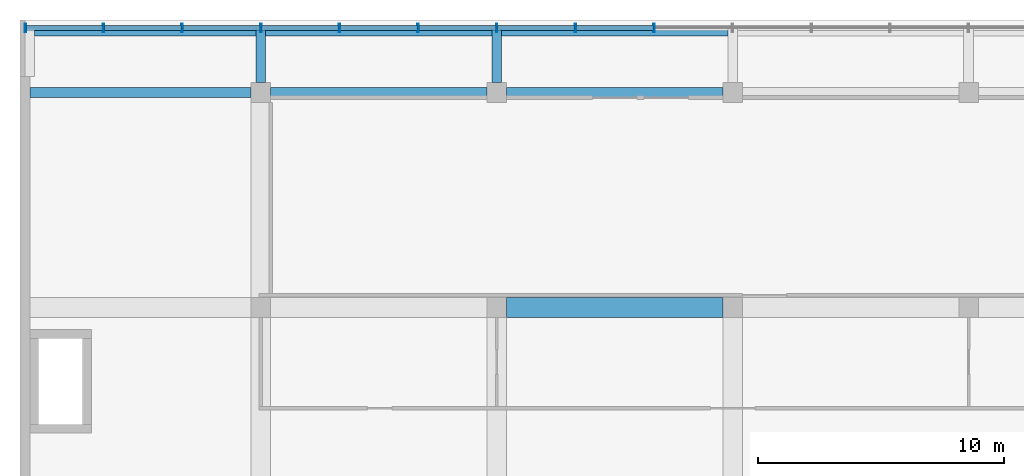
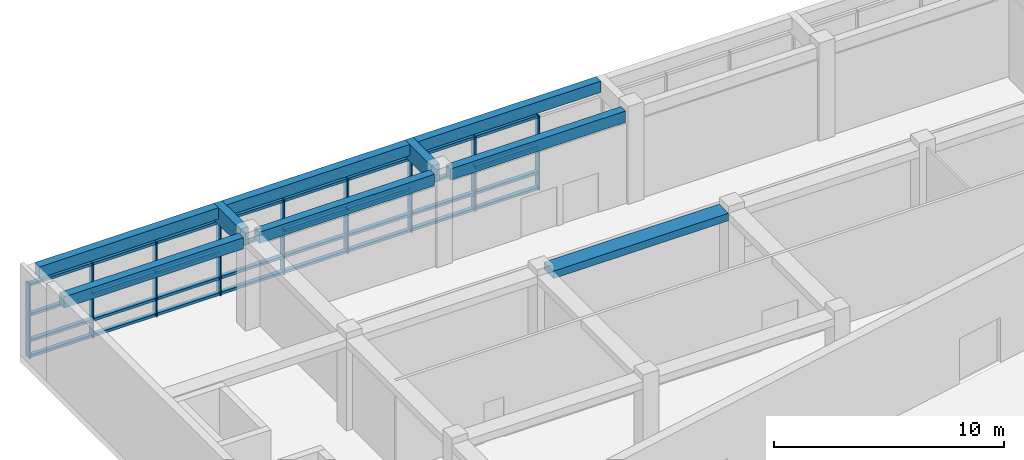
# One storey, part 3 of 31: 41 members, 9 beams, 1 element without a shape of its own.
"""IFC4 building model written with IfcOpenShell, lengths in metres."""

from ifc_helpers import new_model, si_unit, direction, frame, origin, origin_2d, place, context, subcontext, project, spatial, rectangle, hollow_rectangle, extrude, material, layer, layer_set, material_profile, profile_set, type_object, element, aggregate, save


model = new_model("IFC4")

# Units and contexts
model_context = context("Model", 3, precision=1e-05, world=origin(), true_north=direction((0.0, 1.0)))
body_context = subcontext(model_context, "Body", "Model", "MODEL_VIEW")
ifc_project = project(units=[si_unit("LENGTHUNIT", "METRE"), si_unit("AREAUNIT", "SQUARE_METRE"), si_unit("VOLUMEUNIT", "CUBIC_METRE"), si_unit("PLANEANGLEUNIT", "RADIAN"), si_unit("MASSUNIT", "GRAM", prefix="KILO")], contexts=[model_context])

# Site, building, storey
site_placement = place(None, origin())
site = spatial("IfcSite", under=ifc_project, at=site_placement, CompositionType="ELEMENT")
building_placement = place(site_placement, origin())
building = spatial("IfcBuilding", under=site, at=building_placement, Name="Nzadi Deep Aquarium and Research Tower", CompositionType="ELEMENT")
storey_placement = place(building_placement, frame((0.0, 0.0, 26.699951171875)))
storey = spatial("IfcBuildingStorey", under=building, at=storey_placement, Name="L04", CompositionType="ELEMENT", Elevation=26.699951171875)

# Curtain wall, members
ifc_material_1 = material(Name="Aluminium unitised frame tall span", Category="aluminium")
ifc_layer = layer(ifc_material_1, 0.35009765625)
ifc_layer_set = layer_set([ifc_layer], Name="Aluminium unitised frame tall span")
curtain_wall_type = type_object("IfcCurtainWallType", Name="Curtain wall Podium 350", PredefinedType="NOTDEFINED", material=ifc_layer_set)
curtain_wall_placement = place(storey_placement, origin())
curtain_wall = element("IfcCurtainWall", 1, at=curtain_wall_placement, inside=storey, type_object=curtain_wall_type, Name="North cascade curtain wall L04", PredefinedType="NOTDEFINED")
ifc_material_2 = material(Name="Aluminium unitised frame tall span", Category="aluminium")
ifc_material_profile_1 = material_profile(ifc_material_2, hollow_rectangle(XDim=0.35009765625, YDim=0.06005859375, WallThickness=0.0048828125, at=origin_2d()))
ifc_profile_set_1 = profile_set([ifc_material_profile_1], Name="Aluminium unitised frame tall span")
member_type_1 = type_object("IfcMemberType", Name="Mullion 60x350 Podium", PredefinedType="MULLION", material=ifc_profile_set_1)
member_1_placement = place(storey_placement, frame((0.030029296875, 142.97509765625, 0.0), z_axis=(0.0, 0.0, 1.0), x_axis=(0.0, 1.0, 0.0)))
member_1 = element("IfcMember", 2, at=member_1_placement, type_object=member_type_1, Name="CW256 mullion 1", PredefinedType="MULLION", context=body_context, shape_type="SweptSolid", body=[
    extrude(hollow_rectangle(XDim=0.35009765625, YDim=0.06005859375, WallThickness=0.0048828125, at=origin_2d()), origin(), (0.0, 0.0, 1.0), 3.949951171875),
])
member_2_placement = place(storey_placement, frame((3.199951171875, 142.97509765625, 0.0), z_axis=(0.0, 0.0, 1.0), x_axis=(0.0, 1.0, 0.0)))
member_2 = element("IfcMember", 3, at=member_2_placement, type_object=member_type_1, Name="CW256 mullion 2", PredefinedType="MULLION", context=body_context, shape_type="SweptSolid", body=[
    extrude(hollow_rectangle(XDim=0.35009765625, YDim=0.06005859375, WallThickness=0.0048828125, at=origin_2d()), origin(), (0.0, 0.0, 1.0), 3.949951171875),
])
member_3_placement = place(storey_placement, frame((6.39990234375, 142.97509765625, 0.0), z_axis=(0.0, 0.0, 1.0), x_axis=(0.0, 1.0, 0.0)))
member_3 = element("IfcMember", 4, at=member_3_placement, type_object=member_type_1, Name="CW256 mullion 3", PredefinedType="MULLION", context=body_context, shape_type="SweptSolid", body=[
    extrude(hollow_rectangle(XDim=0.35009765625, YDim=0.06005859375, WallThickness=0.0048828125, at=origin_2d()), origin(), (0.0, 0.0, 1.0), 3.949951171875),
])
member_4_placement = place(storey_placement, frame((9.60009765625, 142.97509765625, 0.0), z_axis=(0.0, 0.0, 1.0), x_axis=(0.0, 1.0, 0.0)))
member_4 = element("IfcMember", 5, at=member_4_placement, type_object=member_type_1, Name="CW256 mullion 4", PredefinedType="MULLION", context=body_context, shape_type="SweptSolid", body=[
    extrude(hollow_rectangle(XDim=0.35009765625, YDim=0.06005859375, WallThickness=0.0048828125, at=origin_2d()), origin(), (0.0, 0.0, 1.0), 3.949951171875),
])
member_5_placement = place(storey_placement, frame((12.800048828125, 142.97509765625, 0.0), z_axis=(0.0, 0.0, 1.0), x_axis=(0.0, 1.0, 0.0)))
member_5 = element("IfcMember", 6, at=member_5_placement, type_object=member_type_1, Name="CW256 mullion 5", PredefinedType="MULLION", context=body_context, shape_type="SweptSolid", body=[
    extrude(hollow_rectangle(XDim=0.35009765625, YDim=0.06005859375, WallThickness=0.0048828125, at=origin_2d()), origin(), (0.0, 0.0, 1.0), 3.949951171875),
])
member_6_placement = place(storey_placement, frame((16.0, 142.97509765625, 0.0), z_axis=(0.0, 0.0, 1.0), x_axis=(0.0, 1.0, 0.0)))
member_6 = element("IfcMember", 7, at=member_6_placement, type_object=member_type_1, Name="CW256 mullion 6", PredefinedType="MULLION", context=body_context, shape_type="SweptSolid", body=[
    extrude(hollow_rectangle(XDim=0.35009765625, YDim=0.06005859375, WallThickness=0.0048828125, at=origin_2d()), origin(), (0.0, 0.0, 1.0), 3.949951171875),
])
member_7_placement = place(storey_placement, frame((19.199951171875, 142.97509765625, 0.0), z_axis=(0.0, 0.0, 1.0), x_axis=(0.0, 1.0, 0.0)))
member_7 = element("IfcMember", 8, at=member_7_placement, type_object=member_type_1, Name="CW256 mullion 7", PredefinedType="MULLION", context=body_context, shape_type="SweptSolid", body=[
    extrude(hollow_rectangle(XDim=0.35009765625, YDim=0.06005859375, WallThickness=0.0048828125, at=origin_2d()), origin(), (0.0, 0.0, 1.0), 3.949951171875),
])
member_8_placement = place(storey_placement, frame((22.39990234375, 142.97509765625, 0.0), z_axis=(0.0, 0.0, 1.0), x_axis=(0.0, 1.0, 0.0)))
member_8 = element("IfcMember", 9, at=member_8_placement, type_object=member_type_1, Name="CW256 mullion 8", PredefinedType="MULLION", context=body_context, shape_type="SweptSolid", body=[
    extrude(hollow_rectangle(XDim=0.35009765625, YDim=0.06005859375, WallThickness=0.0048828125, at=origin_2d()), origin(), (0.0, 0.0, 1.0), 3.949951171875),
])
member_9_placement = place(storey_placement, frame((25.60009765625, 142.97509765625, 0.0), z_axis=(0.0, 0.0, 1.0), x_axis=(0.0, 1.0, 0.0)))
member_9 = element("IfcMember", 10, at=member_9_placement, type_object=member_type_1, Name="CW256 mullion 9", PredefinedType="MULLION", context=body_context, shape_type="SweptSolid", body=[
    extrude(hollow_rectangle(XDim=0.35009765625, YDim=0.06005859375, WallThickness=0.0048828125, at=origin_2d()), origin(), (0.0, 0.0, 1.0), 3.949951171875),
])

# Beams
ifc_material_3 = material(Name="Concrete C35/45", Category="concrete")
ifc_material_profile_2 = material_profile(ifc_material_3, rectangle(XDim=0.39990234375, YDim=0.60009765625, at=origin_2d()))
ifc_profile_set_2 = profile_set([ifc_material_profile_2], Name="Concrete C35/45")
beam_type_1 = type_object("IfcBeamType", Name="RC 400x600", PredefinedType="BEAM", material=ifc_profile_set_2)
beam_1_placement = place(storey_placement, frame((0.199951171875, 140.35009765625, 4.550048828125), z_axis=(1.0, 0.0, 0.0), x_axis=(0.0, 1.0, 0.0)))
element("IfcBeam", 11, at=beam_1_placement, inside=storey, type_object=beam_type_1, Name="B-Z3-L04-L18-1", PredefinedType="BEAM", context=body_context, shape_type="SweptSolid", body=[
    extrude(rectangle(XDim=0.39990234375, YDim=0.60009765625, at=origin_2d()), origin(), (0.0, 0.0, 1.0), 9.0),
])
beam_2_placement = place(storey_placement, frame((10.0, 140.35009765625, 4.550048828125), z_axis=(1.0, 0.0, 0.0), x_axis=(0.0, 1.0, 0.0)))
element("IfcBeam", 12, at=beam_2_placement, inside=storey, type_object=beam_type_1, Name="B-Z3-L04-L18-2", PredefinedType="BEAM", context=body_context, shape_type="SweptSolid", body=[
    extrude(rectangle(XDim=0.39990234375, YDim=0.60009765625, at=origin_2d()), origin(), (0.0, 0.0, 1.0), 8.800048828125),
])
beam_3_placement = place(storey_placement, frame((19.60009765625, 140.35009765625, 4.550048828125), z_axis=(1.0, 0.0, 0.0), x_axis=(0.0, 1.0, 0.0)))
element("IfcBeam", 13, at=beam_3_placement, inside=storey, type_object=beam_type_1, Name="B-Z3-L04-L18-3", PredefinedType="BEAM", context=body_context, shape_type="SweptSolid", body=[
    extrude(rectangle(XDim=0.39990234375, YDim=0.60009765625, at=origin_2d()), origin(), (0.0, 0.0, 1.0), 8.7998046875),
])
beam_4_placement = place(storey_placement, frame((0.39990234375, 142.85009765625, 4.550048828125), z_axis=(1.0, 0.0, 0.0), x_axis=(0.0, 1.0, 0.0)))
element("IfcBeam", 14, at=beam_4_placement, inside=storey, type_object=beam_type_1, Name="B-Z3-L05-TB1", PredefinedType="BEAM", context=body_context, shape_type="SweptSolid", body=[
    extrude(rectangle(XDim=0.39990234375, YDim=0.60009765625, at=origin_2d()), origin(), (0.0, 0.0, 1.0), 9.0),
])
beam_5_placement = place(storey_placement, frame((9.800048828125, 142.85009765625, 4.550048828125), z_axis=(1.0, 0.0, 0.0), x_axis=(0.0, 1.0, 0.0)))
element("IfcBeam", 15, at=beam_5_placement, inside=storey, type_object=beam_type_1, Name="B-Z3-L05-TB2", PredefinedType="BEAM", context=body_context, shape_type="SweptSolid", body=[
    extrude(rectangle(XDim=0.39990234375, YDim=0.60009765625, at=origin_2d()), origin(), (0.0, 0.0, 1.0), 9.199951171875),
])
beam_6_placement = place(storey_placement, frame((19.39990234375, 142.85009765625, 4.550048828125), z_axis=(1.0, 0.0, 0.0), x_axis=(0.0, 1.0, 0.0)))
element("IfcBeam", 16, at=beam_6_placement, inside=storey, type_object=beam_type_1, Name="B-Z3-L05-TB3", PredefinedType="BEAM", context=body_context, shape_type="SweptSolid", body=[
    extrude(rectangle(XDim=0.39990234375, YDim=0.60009765625, at=origin_2d()), origin(), (0.0, 0.0, 1.0), 9.2001953125),
])
ifc_material_4 = material(Name="Concrete C35/45", Category="concrete")
ifc_material_profile_3 = material_profile(ifc_material_4, rectangle(XDim=0.39990234375, YDim=0.89990234375, at=origin_2d()))
ifc_profile_set_3 = profile_set([ifc_material_profile_3], Name="Concrete C35/45")
beam_type_2 = type_object("IfcBeamType", Name="RC 400x900", PredefinedType="BEAM", material=ifc_profile_set_3)
for number, where, z_axis, x_axis, name in (
    (17, (9.60009765625, 140.75, 4.400146484375), (0.0, 1.0, 0.0), (-1.0, 0.0, 0.0), "B-Z3-L05-CB2"),
    (18, (19.199951171875, 140.75, 4.400146484375), (0.0, 1.0, 0.0), (-1.0, 0.0, 0.0), "B-Z3-L05-CB3"),
):
    element("IfcBeam", number, at=place(storey_placement, frame(where, z_axis=z_axis, x_axis=x_axis)), inside=storey, type_object=beam_type_2, Name=name, PredefinedType="BEAM", context=body_context, shape_type="SweptSolid", body=[
        extrude(rectangle(XDim=0.39990234375, YDim=0.89990234375, at=origin_2d()), origin(), (0.0, 0.0, 1.0), 2.300048828125),
    ])
ifc_material_5 = material(Name="Concrete C35/45", Category="concrete")
ifc_material_profile_4 = material_profile(ifc_material_5, rectangle(XDim=0.800048828125, YDim=0.39990234375, at=origin_2d()))
ifc_profile_set_4 = profile_set([ifc_material_profile_4], Name="Concrete C35/45")
beam_type_3 = type_object("IfcBeamType", Name="RC 800x400", PredefinedType="BEAM", material=ifc_profile_set_4)
beam_7_placement = place(storey_placement, frame((19.60009765625, 131.60009765625, 4.650146484375), z_axis=(1.0, 0.0, 0.0), x_axis=(0.0, 1.0, 0.0)))
element("IfcBeam", 19, at=beam_7_placement, inside=storey, type_object=beam_type_3, Name="B-Z3-L04-L17-3", PredefinedType="BEAM", context=body_context, shape_type="SweptSolid", body=[
    extrude(rectangle(XDim=0.800048828125, YDim=0.39990234375, at=origin_2d()), origin(), (0.0, 0.0, 1.0), 8.7998046875),
])

# Member
ifc_material_6 = material(Name="Aluminium unitised frame tall span", Category="aluminium")
ifc_material_profile_5 = material_profile(ifc_material_6, hollow_rectangle(XDim=0.199951171875, YDim=0.139892578125, WallThickness=0.0048828125, at=origin_2d()))
ifc_profile_set_5 = profile_set([ifc_material_profile_5], Name="Aluminium unitised frame tall span")
member_type_2 = type_object("IfcMemberType", Name="Transom 140x200 Podium", PredefinedType="MULLION", material=ifc_profile_set_5)
member_10_placement = place(storey_placement, frame((0.06005859375, 142.97509765625, 0.070068359375), z_axis=(1.0, 0.0, 0.0), x_axis=(0.0, 1.0, 0.0)))
member_10 = element("IfcMember", 20, at=member_10_placement, type_object=member_type_2, Name="CW256 transom 1.1", PredefinedType="MULLION", context=body_context, shape_type="SweptSolid", body=[
    extrude(hollow_rectangle(XDim=0.199951171875, YDim=0.139892578125, WallThickness=0.0048828125, at=origin_2d()), origin(), (0.0, 0.0, 1.0), 3.10986328125),
])

member_11_placement = place(storey_placement, frame((0.06005859375, 142.97509765625, 0.900146484375), z_axis=(1.0, 0.0, 0.0), x_axis=(0.0, 1.0, 0.0)))
member_11 = element("IfcMember", 21, at=member_11_placement, type_object=member_type_2, Name="CW256 transom 1.2", PredefinedType="MULLION", context=body_context, shape_type="SweptSolid", body=[
    extrude(hollow_rectangle(XDim=0.199951171875, YDim=0.139892578125, WallThickness=0.0048828125, at=origin_2d()), origin(), (0.0, 0.0, 1.0), 3.10986328125),
])

member_12_placement = place(storey_placement, frame((0.06005859375, 142.97509765625, 2.275146484375), z_axis=(1.0, 0.0, 0.0), x_axis=(0.0, 1.0, 0.0)))
member_12 = element("IfcMember", 22, at=member_12_placement, type_object=member_type_2, Name="CW256 transom 1.3", PredefinedType="MULLION", context=body_context, shape_type="SweptSolid", body=[
    extrude(hollow_rectangle(XDim=0.199951171875, YDim=0.139892578125, WallThickness=0.0048828125, at=origin_2d()), origin(), (0.0, 0.0, 1.0), 3.10986328125),
])

member_13_placement = place(storey_placement, frame((0.06005859375, 142.97509765625, 3.880126953125), z_axis=(1.0, 0.0, 0.0), x_axis=(0.0, 1.0, 0.0)))
member_13 = element("IfcMember", 23, at=member_13_placement, type_object=member_type_2, Name="CW256 transom 1.4", PredefinedType="MULLION", context=body_context, shape_type="SweptSolid", body=[
    extrude(hollow_rectangle(XDim=0.199951171875, YDim=0.139892578125, WallThickness=0.0048828125, at=origin_2d()), origin(), (0.0, 0.0, 1.0), 3.10986328125),
])

member_14_placement = place(storey_placement, frame((3.22998046875, 142.97509765625, 0.070068359375), z_axis=(1.0, 0.0, 0.0), x_axis=(0.0, 1.0, 0.0)))
member_14 = element("IfcMember", 24, at=member_14_placement, type_object=member_type_2, Name="CW256 transom 2.1", PredefinedType="MULLION", context=body_context, shape_type="SweptSolid", body=[
    extrude(hollow_rectangle(XDim=0.199951171875, YDim=0.139892578125, WallThickness=0.0048828125, at=origin_2d()), origin(), (0.0, 0.0, 1.0), 3.14013671875),
])

member_15_placement = place(storey_placement, frame((3.22998046875, 142.97509765625, 0.900146484375), z_axis=(1.0, 0.0, 0.0), x_axis=(0.0, 1.0, 0.0)))
member_15 = element("IfcMember", 25, at=member_15_placement, type_object=member_type_2, Name="CW256 transom 2.2", PredefinedType="MULLION", context=body_context, shape_type="SweptSolid", body=[
    extrude(hollow_rectangle(XDim=0.199951171875, YDim=0.139892578125, WallThickness=0.0048828125, at=origin_2d()), origin(), (0.0, 0.0, 1.0), 3.14013671875),
])

member_16_placement = place(storey_placement, frame((3.22998046875, 142.97509765625, 2.275146484375), z_axis=(1.0, 0.0, 0.0), x_axis=(0.0, 1.0, 0.0)))
member_16 = element("IfcMember", 26, at=member_16_placement, type_object=member_type_2, Name="CW256 transom 2.3", PredefinedType="MULLION", context=body_context, shape_type="SweptSolid", body=[
    extrude(hollow_rectangle(XDim=0.199951171875, YDim=0.139892578125, WallThickness=0.0048828125, at=origin_2d()), origin(), (0.0, 0.0, 1.0), 3.14013671875),
])

member_17_placement = place(storey_placement, frame((3.22998046875, 142.97509765625, 3.880126953125), z_axis=(1.0, 0.0, 0.0), x_axis=(0.0, 1.0, 0.0)))
member_17 = element("IfcMember", 27, at=member_17_placement, type_object=member_type_2, Name="CW256 transom 2.4", PredefinedType="MULLION", context=body_context, shape_type="SweptSolid", body=[
    extrude(hollow_rectangle(XDim=0.199951171875, YDim=0.139892578125, WallThickness=0.0048828125, at=origin_2d()), origin(), (0.0, 0.0, 1.0), 3.14013671875),
])

member_18_placement = place(storey_placement, frame((6.429931640625, 142.97509765625, 0.070068359375), z_axis=(1.0, 0.0, 0.0), x_axis=(0.0, 1.0, 0.0)))
member_18 = element("IfcMember", 28, at=member_18_placement, type_object=member_type_2, Name="CW256 transom 3.1", PredefinedType="MULLION", context=body_context, shape_type="SweptSolid", body=[
    extrude(hollow_rectangle(XDim=0.199951171875, YDim=0.139892578125, WallThickness=0.0048828125, at=origin_2d()), origin(), (0.0, 0.0, 1.0), 3.14013671875),
])

member_19_placement = place(storey_placement, frame((6.429931640625, 142.97509765625, 0.900146484375), z_axis=(1.0, 0.0, 0.0), x_axis=(0.0, 1.0, 0.0)))
member_19 = element("IfcMember", 29, at=member_19_placement, type_object=member_type_2, Name="CW256 transom 3.2", PredefinedType="MULLION", context=body_context, shape_type="SweptSolid", body=[
    extrude(hollow_rectangle(XDim=0.199951171875, YDim=0.139892578125, WallThickness=0.0048828125, at=origin_2d()), origin(), (0.0, 0.0, 1.0), 3.14013671875),
])

member_20_placement = place(storey_placement, frame((6.429931640625, 142.97509765625, 2.275146484375), z_axis=(1.0, 0.0, 0.0), x_axis=(0.0, 1.0, 0.0)))
member_20 = element("IfcMember", 30, at=member_20_placement, type_object=member_type_2, Name="CW256 transom 3.3", PredefinedType="MULLION", context=body_context, shape_type="SweptSolid", body=[
    extrude(hollow_rectangle(XDim=0.199951171875, YDim=0.139892578125, WallThickness=0.0048828125, at=origin_2d()), origin(), (0.0, 0.0, 1.0), 3.14013671875),
])

member_21_placement = place(storey_placement, frame((6.429931640625, 142.97509765625, 3.880126953125), z_axis=(1.0, 0.0, 0.0), x_axis=(0.0, 1.0, 0.0)))
member_21 = element("IfcMember", 31, at=member_21_placement, type_object=member_type_2, Name="CW256 transom 3.4", PredefinedType="MULLION", context=body_context, shape_type="SweptSolid", body=[
    extrude(hollow_rectangle(XDim=0.199951171875, YDim=0.139892578125, WallThickness=0.0048828125, at=origin_2d()), origin(), (0.0, 0.0, 1.0), 3.14013671875),
])

member_22_placement = place(storey_placement, frame((9.6298828125, 142.97509765625, 0.070068359375), z_axis=(1.0, 0.0, 0.0), x_axis=(0.0, 1.0, 0.0)))
member_22 = element("IfcMember", 32, at=member_22_placement, type_object=member_type_2, Name="CW256 transom 4.1", PredefinedType="MULLION", context=body_context, shape_type="SweptSolid", body=[
    extrude(hollow_rectangle(XDim=0.199951171875, YDim=0.139892578125, WallThickness=0.0048828125, at=origin_2d()), origin(), (0.0, 0.0, 1.0), 3.14013671875),
])

member_23_placement = place(storey_placement, frame((9.6298828125, 142.97509765625, 0.900146484375), z_axis=(1.0, 0.0, 0.0), x_axis=(0.0, 1.0, 0.0)))
member_23 = element("IfcMember", 33, at=member_23_placement, type_object=member_type_2, Name="CW256 transom 4.2", PredefinedType="MULLION", context=body_context, shape_type="SweptSolid", body=[
    extrude(hollow_rectangle(XDim=0.199951171875, YDim=0.139892578125, WallThickness=0.0048828125, at=origin_2d()), origin(), (0.0, 0.0, 1.0), 3.14013671875),
])

member_24_placement = place(storey_placement, frame((9.6298828125, 142.97509765625, 2.275146484375), z_axis=(1.0, 0.0, 0.0), x_axis=(0.0, 1.0, 0.0)))
member_24 = element("IfcMember", 34, at=member_24_placement, type_object=member_type_2, Name="CW256 transom 4.3", PredefinedType="MULLION", context=body_context, shape_type="SweptSolid", body=[
    extrude(hollow_rectangle(XDim=0.199951171875, YDim=0.139892578125, WallThickness=0.0048828125, at=origin_2d()), origin(), (0.0, 0.0, 1.0), 3.14013671875),
])

member_25_placement = place(storey_placement, frame((9.6298828125, 142.97509765625, 3.880126953125), z_axis=(1.0, 0.0, 0.0), x_axis=(0.0, 1.0, 0.0)))
member_25 = element("IfcMember", 35, at=member_25_placement, type_object=member_type_2, Name="CW256 transom 4.4", PredefinedType="MULLION", context=body_context, shape_type="SweptSolid", body=[
    extrude(hollow_rectangle(XDim=0.199951171875, YDim=0.139892578125, WallThickness=0.0048828125, at=origin_2d()), origin(), (0.0, 0.0, 1.0), 3.14013671875),
])

member_26_placement = place(storey_placement, frame((12.830078125, 142.97509765625, 0.070068359375), z_axis=(1.0, 0.0, 0.0), x_axis=(0.0, 1.0, 0.0)))
member_26 = element("IfcMember", 36, at=member_26_placement, type_object=member_type_2, Name="CW256 transom 5.1", PredefinedType="MULLION", context=body_context, shape_type="SweptSolid", body=[
    extrude(hollow_rectangle(XDim=0.199951171875, YDim=0.139892578125, WallThickness=0.0048828125, at=origin_2d()), origin(), (0.0, 0.0, 1.0), 3.139892578125),
])

member_27_placement = place(storey_placement, frame((12.830078125, 142.97509765625, 0.900146484375), z_axis=(1.0, 0.0, 0.0), x_axis=(0.0, 1.0, 0.0)))
member_27 = element("IfcMember", 37, at=member_27_placement, type_object=member_type_2, Name="CW256 transom 5.2", PredefinedType="MULLION", context=body_context, shape_type="SweptSolid", body=[
    extrude(hollow_rectangle(XDim=0.199951171875, YDim=0.139892578125, WallThickness=0.0048828125, at=origin_2d()), origin(), (0.0, 0.0, 1.0), 3.139892578125),
])

member_28_placement = place(storey_placement, frame((12.830078125, 142.97509765625, 2.275146484375), z_axis=(1.0, 0.0, 0.0), x_axis=(0.0, 1.0, 0.0)))
member_28 = element("IfcMember", 38, at=member_28_placement, type_object=member_type_2, Name="CW256 transom 5.3", PredefinedType="MULLION", context=body_context, shape_type="SweptSolid", body=[
    extrude(hollow_rectangle(XDim=0.199951171875, YDim=0.139892578125, WallThickness=0.0048828125, at=origin_2d()), origin(), (0.0, 0.0, 1.0), 3.139892578125),
])

member_29_placement = place(storey_placement, frame((12.830078125, 142.97509765625, 3.880126953125), z_axis=(1.0, 0.0, 0.0), x_axis=(0.0, 1.0, 0.0)))
member_29 = element("IfcMember", 39, at=member_29_placement, type_object=member_type_2, Name="CW256 transom 5.4", PredefinedType="MULLION", context=body_context, shape_type="SweptSolid", body=[
    extrude(hollow_rectangle(XDim=0.199951171875, YDim=0.139892578125, WallThickness=0.0048828125, at=origin_2d()), origin(), (0.0, 0.0, 1.0), 3.139892578125),
])

member_30_placement = place(storey_placement, frame((16.030029296875, 142.97509765625, 0.070068359375), z_axis=(1.0, 0.0, 0.0), x_axis=(0.0, 1.0, 0.0)))
member_30 = element("IfcMember", 40, at=member_30_placement, type_object=member_type_2, Name="CW256 transom 6.1", PredefinedType="MULLION", context=body_context, shape_type="SweptSolid", body=[
    extrude(hollow_rectangle(XDim=0.199951171875, YDim=0.139892578125, WallThickness=0.0048828125, at=origin_2d()), origin(), (0.0, 0.0, 1.0), 3.139892578125),
])

member_31_placement = place(storey_placement, frame((16.030029296875, 142.97509765625, 0.900146484375), z_axis=(1.0, 0.0, 0.0), x_axis=(0.0, 1.0, 0.0)))
member_31 = element("IfcMember", 41, at=member_31_placement, type_object=member_type_2, Name="CW256 transom 6.2", PredefinedType="MULLION", context=body_context, shape_type="SweptSolid", body=[
    extrude(hollow_rectangle(XDim=0.199951171875, YDim=0.139892578125, WallThickness=0.0048828125, at=origin_2d()), origin(), (0.0, 0.0, 1.0), 3.139892578125),
])

member_32_placement = place(storey_placement, frame((16.030029296875, 142.97509765625, 2.275146484375), z_axis=(1.0, 0.0, 0.0), x_axis=(0.0, 1.0, 0.0)))
member_32 = element("IfcMember", 42, at=member_32_placement, type_object=member_type_2, Name="CW256 transom 6.3", PredefinedType="MULLION", context=body_context, shape_type="SweptSolid", body=[
    extrude(hollow_rectangle(XDim=0.199951171875, YDim=0.139892578125, WallThickness=0.0048828125, at=origin_2d()), origin(), (0.0, 0.0, 1.0), 3.139892578125),
])

member_33_placement = place(storey_placement, frame((16.030029296875, 142.97509765625, 3.880126953125), z_axis=(1.0, 0.0, 0.0), x_axis=(0.0, 1.0, 0.0)))
member_33 = element("IfcMember", 43, at=member_33_placement, type_object=member_type_2, Name="CW256 transom 6.4", PredefinedType="MULLION", context=body_context, shape_type="SweptSolid", body=[
    extrude(hollow_rectangle(XDim=0.199951171875, YDim=0.139892578125, WallThickness=0.0048828125, at=origin_2d()), origin(), (0.0, 0.0, 1.0), 3.139892578125),
])

member_34_placement = place(storey_placement, frame((19.22998046875, 142.97509765625, 0.070068359375), z_axis=(1.0, 0.0, 0.0), x_axis=(0.0, 1.0, 0.0)))
member_34 = element("IfcMember", 44, at=member_34_placement, type_object=member_type_2, Name="CW256 transom 7.1", PredefinedType="MULLION", context=body_context, shape_type="SweptSolid", body=[
    extrude(hollow_rectangle(XDim=0.199951171875, YDim=0.139892578125, WallThickness=0.0048828125, at=origin_2d()), origin(), (0.0, 0.0, 1.0), 3.14013671875),
])

member_35_placement = place(storey_placement, frame((19.22998046875, 142.97509765625, 0.900146484375), z_axis=(1.0, 0.0, 0.0), x_axis=(0.0, 1.0, 0.0)))
member_35 = element("IfcMember", 45, at=member_35_placement, type_object=member_type_2, Name="CW256 transom 7.2", PredefinedType="MULLION", context=body_context, shape_type="SweptSolid", body=[
    extrude(hollow_rectangle(XDim=0.199951171875, YDim=0.139892578125, WallThickness=0.0048828125, at=origin_2d()), origin(), (0.0, 0.0, 1.0), 3.14013671875),
])

member_36_placement = place(storey_placement, frame((19.22998046875, 142.97509765625, 2.275146484375), z_axis=(1.0, 0.0, 0.0), x_axis=(0.0, 1.0, 0.0)))
member_36 = element("IfcMember", 46, at=member_36_placement, type_object=member_type_2, Name="CW256 transom 7.3", PredefinedType="MULLION", context=body_context, shape_type="SweptSolid", body=[
    extrude(hollow_rectangle(XDim=0.199951171875, YDim=0.139892578125, WallThickness=0.0048828125, at=origin_2d()), origin(), (0.0, 0.0, 1.0), 3.14013671875),
])

member_37_placement = place(storey_placement, frame((19.22998046875, 142.97509765625, 3.880126953125), z_axis=(1.0, 0.0, 0.0), x_axis=(0.0, 1.0, 0.0)))
member_37 = element("IfcMember", 47, at=member_37_placement, type_object=member_type_2, Name="CW256 transom 7.4", PredefinedType="MULLION", context=body_context, shape_type="SweptSolid", body=[
    extrude(hollow_rectangle(XDim=0.199951171875, YDim=0.139892578125, WallThickness=0.0048828125, at=origin_2d()), origin(), (0.0, 0.0, 1.0), 3.14013671875),
])

member_38_placement = place(storey_placement, frame((22.429931640625, 142.97509765625, 0.070068359375), z_axis=(1.0, 0.0, 0.0), x_axis=(0.0, 1.0, 0.0)))
member_38 = element("IfcMember", 48, at=member_38_placement, type_object=member_type_2, Name="CW256 transom 8.1", PredefinedType="MULLION", context=body_context, shape_type="SweptSolid", body=[
    extrude(hollow_rectangle(XDim=0.199951171875, YDim=0.139892578125, WallThickness=0.0048828125, at=origin_2d()), origin(), (0.0, 0.0, 1.0), 3.14013671875),
])

member_39_placement = place(storey_placement, frame((22.429931640625, 142.97509765625, 0.900146484375), z_axis=(1.0, 0.0, 0.0), x_axis=(0.0, 1.0, 0.0)))
member_39 = element("IfcMember", 49, at=member_39_placement, type_object=member_type_2, Name="CW256 transom 8.2", PredefinedType="MULLION", context=body_context, shape_type="SweptSolid", body=[
    extrude(hollow_rectangle(XDim=0.199951171875, YDim=0.139892578125, WallThickness=0.0048828125, at=origin_2d()), origin(), (0.0, 0.0, 1.0), 3.14013671875),
])

member_40_placement = place(storey_placement, frame((22.429931640625, 142.97509765625, 2.275146484375), z_axis=(1.0, 0.0, 0.0), x_axis=(0.0, 1.0, 0.0)))
member_40 = element("IfcMember", 50, at=member_40_placement, type_object=member_type_2, Name="CW256 transom 8.3", PredefinedType="MULLION", context=body_context, shape_type="SweptSolid", body=[
    extrude(hollow_rectangle(XDim=0.199951171875, YDim=0.139892578125, WallThickness=0.0048828125, at=origin_2d()), origin(), (0.0, 0.0, 1.0), 3.14013671875),
])

member_41_placement = place(storey_placement, frame((22.429931640625, 142.97509765625, 3.880126953125), z_axis=(1.0, 0.0, 0.0), x_axis=(0.0, 1.0, 0.0)))
member_41 = element("IfcMember", 51, at=member_41_placement, type_object=member_type_2, Name="CW256 transom 8.4", PredefinedType="MULLION", context=body_context, shape_type="SweptSolid", body=[
    extrude(hollow_rectangle(XDim=0.199951171875, YDim=0.139892578125, WallThickness=0.0048828125, at=origin_2d()), origin(), (0.0, 0.0, 1.0), 3.14013671875),
])

aggregate(curtain_wall, [member_1, member_2, member_3, member_4, member_5, member_6, member_7, member_8, member_9, member_10, member_11, member_12, member_13, member_14, member_15, member_16, member_17, member_18, member_19, member_20, member_21, member_22, member_23, member_24, member_25, member_26, member_27, member_28, member_29, member_30, member_31, member_32, member_33, member_34, member_35, member_36, member_37, member_38, member_39, member_40, member_41])

save(model, "model.ifc")
